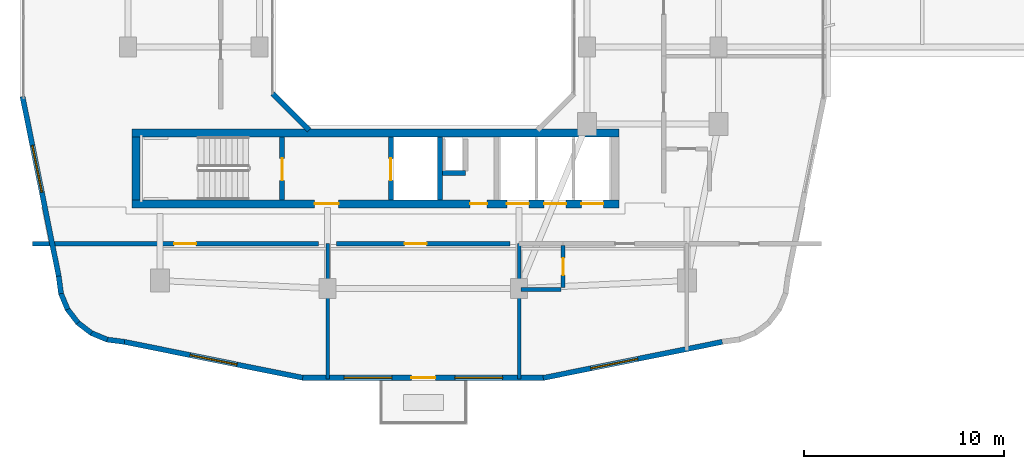
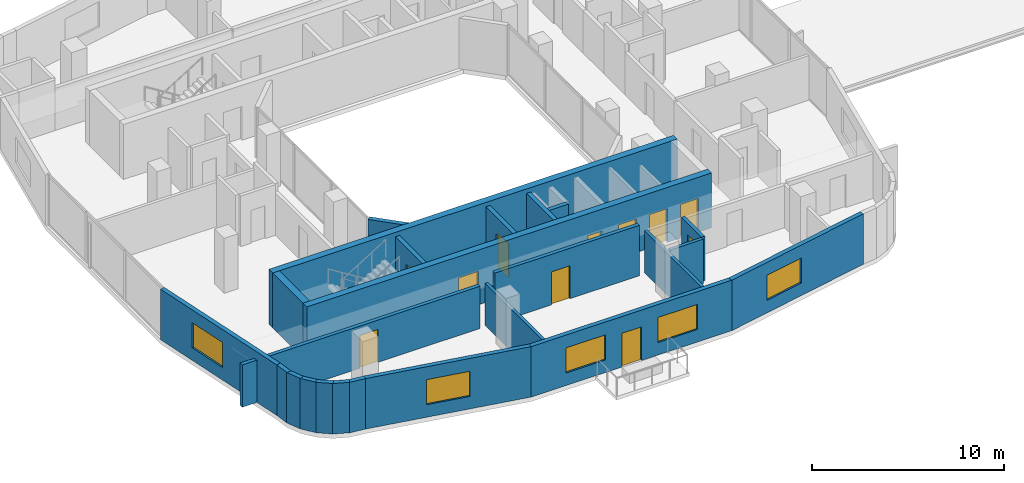
# One storey, part 8 of 22: 24 walls, 11 doors, 5 windows, 16 openings.
"""IFC4 building model written with IfcOpenShell, lengths in metres."""

from ifc_helpers import new_model, si_unit, derived_unit, direction, frame, frame_2d, origin, place, context, subcontext, project, spatial, rectangle, extrude, material, layer, layer_set, type_object, element, fill, save


model = new_model("IFC4")

# Units and contexts
model_context = context("Model", 3, precision=1e-05, world=origin(), true_north=direction((0.0, 1.0)))
body_context = subcontext(model_context, "Body", "Model", "MODEL_VIEW")
ifc_project = project(units=[si_unit("LENGTHUNIT", "METRE"), si_unit("AREAUNIT", "SQUARE_METRE"), si_unit("VOLUMEUNIT", "CUBIC_METRE"), si_unit("PLANEANGLEUNIT", "RADIAN"), si_unit("MASSUNIT", "GRAM", prefix="KILO"), derived_unit("THERMALTRANSMITTANCEUNIT", [(si_unit("POWERUNIT", "WATT"), 1), (si_unit("LENGTHUNIT", "METRE"), -2), (si_unit("THERMODYNAMICTEMPERATUREUNIT", "KELVIN"), -1)])], contexts=[model_context])

# Site, building, storey
site_placement = place(None, origin())
site = spatial("IfcSite", under=ifc_project, at=site_placement, CompositionType="ELEMENT")
building_placement = place(site_placement, origin())
building = spatial("IfcBuilding", under=site, at=building_placement, Name="Kivonza Crest Hotel", CompositionType="ELEMENT")
storey_placement = place(building_placement, frame((0.0, 0.0, 124.0)))
storey = spatial("IfcBuildingStorey", under=building, at=storey_placement, Name="L33", CompositionType="ELEMENT", Elevation=124.0)

# Walls
ifc_material_1 = material(Name="High-density acoustic masonry inter-tenancy wall", Category="masonry")
ifc_layer_1 = layer(ifc_material_1, 0.179931640625)
ifc_layer_set_1 = layer_set([ifc_layer_1], Name="High-density acoustic masonry inter-tenancy wall")
wall_type_1 = type_object("IfcWallType", Name="WL-ACOU-180", PredefinedType="SOLIDWALL", material=ifc_layer_set_1)
for number, where, z_axis, x_axis, name in (
    (1, (16.199951171875, 4.860107421875, 0.0), (0.0, 0.0, 1.0), (0.0, 1.0, 0.0), "L33 interior partition WA-L33-T1S-DIV1"),
    (2, (25.800048828125, 4.860107421875, 0.0), (0.0, 0.0, 1.0), (0.0, 1.0, 0.0), "L33 interior partition WA-L33-T1S-DIV2"),
):
    element("IfcWall", number, at=place(storey_placement, frame(where, z_axis=z_axis, x_axis=x_axis)), inside=storey, type_object=wall_type_1, Name=name, PredefinedType="SOLIDWALL", context=body_context, shape_type="SweptSolid", body=[
        extrude(rectangle(XDim=6.789794921875, YDim=0.179931640625, at=frame_2d((3.39501953125, 0.0))), origin(), (0.0, 0.0, 1.0), 2.695068359375),
    ])

# Wall, opening, door
ifc_material_2 = material(Name="Autoclaved aerated concrete blockwork", Category="masonry")
ifc_layer_2 = layer(ifc_material_2, 0.219970703125)
ifc_layer_set_2 = layer_set([ifc_layer_2], Name="Autoclaved aerated concrete blockwork")
wall_type_2 = type_object("IfcWallType", Name="WL-ACOU-220", PredefinedType="SOLIDWALL", material=ifc_layer_set_2)
wall_1_placement = place(storey_placement, frame((1.409912109375, 11.64990234375, 0.0), z_axis=(0.0, 0.0, 1.0), x_axis=(1.0, 0.0, 0.0)))
wall_1 = element("IfcWall", 3, at=wall_1_placement, inside=storey, type_object=wall_type_2, Name="L33 interior partition WA-L33-Z2-GYM0-N", PredefinedType="SOLIDWALL", context=body_context, shape_type="SweptSolid", body=[
    extrude(rectangle(XDim=14.340087890625, YDim=0.219970703125, at=frame_2d((7.169921875, 0.0))), origin(), (0.0, 0.0, 1.0), 2.695068359375),
])
opening_1_placement = place(wall_1_placement, frame((7.097900390625, 0.0, 0.0)))
opening_1 = element("IfcOpeningElement", 4, at=opening_1_placement, cuts=wall_1, Name="Opening DF-60M", PredefinedType="OPENING", context=body_context, shape_type="SweptSolid", body=[
    extrude(rectangle(XDim=1.10009765625, YDim=2.10009765625, at=frame_2d((0.550048828125, 1.050048828125))), frame((0.0, 0.1201171875, 0.0), z_axis=(0.0, -1.0, 0.0), x_axis=(1.0, 0.0, 0.0)), (0.0, 0.0, 1.0), 0.239990234375),
])
ifc_material_3 = material(Name="Hardwood timber oak", Category="wood")
door_type_1 = type_object("IfcDoorType", Name="DR-FD60-1100", OperationType="NOTDEFINED", PredefinedType="DOOR", material=ifc_material_3)
door_1_placement = place(opening_1_placement, frame((1.10009765625, 0.0, 0.0), z_axis=(0.0, 0.0, 1.0), x_axis=(-1.0, 0.0, 0.0)))
door_1 = element("IfcDoor", 5, at=door_1_placement, inside=storey, type_object=door_type_1, Name="L33 Atrium Cardio Fitness Studio door", OperationType="SINGLE_SWING_RIGHT", OverallHeight=2.10009765625, OverallWidth=1.10009765625, PredefinedType="DOOR", context=body_context, shape_type="SweptSolid", body=[
    extrude(rectangle(XDim=1.10009765625, YDim=2.10009765625, at=frame_2d((0.550048828125, 1.050048828125))), frame((0.0, 0.02490234375, 0.0), z_axis=(0.0, -1.0, 0.0), x_axis=(1.0, 0.0, 0.0)), (0.0, 0.0, 1.0), 0.050048828125),
])
fill(opening_1, door_1)

wall_2_placement = place(storey_placement, frame((16.64990234375, 11.64990234375, 0.0), z_axis=(0.0, 0.0, 1.0), x_axis=(1.0, 0.0, 0.0)))
wall_2 = element("IfcWall", 6, at=wall_2_placement, inside=storey, type_object=wall_type_2, Name="L33 interior partition WA-L33-Z2-GYM1-N", PredefinedType="SOLIDWALL", context=body_context, shape_type="SweptSolid", body=[
    extrude(rectangle(XDim=8.7001953125, YDim=0.219970703125, at=frame_2d((4.35009765625, 0.0))), origin(), (0.0, 0.0, 1.0), 3.219970703125),
])
opening_2_placement = place(wall_2_placement, frame((3.409912109375, 0.0, 0.0)))
opening_2 = element("IfcOpeningElement", 7, at=opening_2_placement, cuts=wall_2, Name="Opening DF-60M", PredefinedType="OPENING", context=body_context, shape_type="SweptSolid", body=[
    extrude(rectangle(XDim=1.10009765625, YDim=2.10009765625, at=frame_2d((0.550048828125, 1.050048828125))), frame((0.0, 0.1201171875, 0.0), z_axis=(0.0, -1.0, 0.0), x_axis=(1.0, 0.0, 0.0)), (0.0, 0.0, 1.0), 0.239990234375),
])
door_2_placement = place(opening_2_placement, frame((1.10009765625, 0.0, 0.0), z_axis=(0.0, 0.0, 1.0), x_axis=(-1.0, 0.0, 0.0)))
door_2 = element("IfcDoor", 8, at=door_2_placement, inside=storey, type_object=door_type_1, Name="L33 Atrium Recovery Spa Lounge door", OperationType="SINGLE_SWING_LEFT", OverallHeight=2.10009765625, OverallWidth=1.10009765625, PredefinedType="DOOR", context=body_context, shape_type="SweptSolid", body=[
    extrude(rectangle(XDim=1.10009765625, YDim=2.10009765625, at=frame_2d((0.550048828125, 1.050048828125))), frame((0.0, 0.02490234375, 0.0), z_axis=(0.0, -1.0, 0.0), x_axis=(1.0, 0.0, 0.0)), (0.0, 0.0, 1.0), 0.050048828125),
])
fill(opening_2, door_2)

# Wall, openings, doors
ifc_material_4 = material(Name="Concrete C50/60", Category="concrete")
ifc_layer_3 = layer(ifc_material_4, 0.39990234375)
ifc_layer_set_3 = layer_set([ifc_layer_3], Name="Concrete C50/60")
wall_type_3 = type_object("IfcWallType", Name="WL-CORE-400", PredefinedType="SHEAR", material=ifc_layer_set_3)
wall_3_placement = place(storey_placement, frame((6.39990234375, 13.639892578125, 0.0), z_axis=(0.0, 0.0, 1.0), x_axis=(1.0, 0.0, 0.0)))
wall_3 = element("IfcWall", 9, at=wall_3_placement, inside=storey, type_object=wall_type_3, Name="Core wall T1-S South L33", PredefinedType="SHEAR", context=body_context, shape_type="SweptSolid", body=[
    extrude(rectangle(XDim=24.400146484375, YDim=0.39990234375, at=frame_2d((12.2001953125, 0.0))), origin(), (0.0, 0.0, 1.0), 3.5),
])
opening_3_placement = place(wall_3_placement, frame((9.14990234375, 0.0, 0.0)))
opening_3 = element("IfcOpeningElement", 10, at=opening_3_placement, cuts=wall_3, Name="Opening DF-60", PredefinedType="OPENING", context=body_context, shape_type="SweptSolid", body=[
    extrude(rectangle(XDim=1.199951171875, YDim=2.14990234375, at=frame_2d((0.60009765625, 1.074951171875))), frame((0.0, 0.2099609375, 0.0), z_axis=(0.0, -1.0, 0.0), x_axis=(1.0, 0.0, 0.0)), (0.0, 0.0, 1.0), 0.419921875),
])
opening_4_placement = place(wall_3_placement, frame((16.93994140625, 0.0, 0.0)))
opening_4 = element("IfcOpeningElement", 11, at=opening_4_placement, cuts=wall_3, Name="Opening DF-60R", PredefinedType="OPENING", context=body_context, shape_type="SweptSolid", body=[
    extrude(rectangle(XDim=0.85009765625, YDim=2.10009765625, at=frame_2d((0.425048828125, 1.050048828125))), frame((0.0, 0.2099609375, 0.0), z_axis=(0.0, -1.0, 0.0), x_axis=(1.0, 0.0, 0.0)), (0.0, 0.0, 1.0), 0.419921875),
])
opening_5_placement = place(wall_3_placement, frame((18.782958984375, 0.0, 0.0)))
opening_5 = element("IfcOpeningElement", 12, at=opening_5_placement, cuts=wall_3, Name="Opening LD-120", PredefinedType="OPENING", context=body_context, shape_type="SweptSolid", body=[
    extrude(rectangle(XDim=1.10009765625, YDim=2.14990234375, at=frame_2d((0.550048828125, 1.074951171875))), frame((0.0, 0.2099609375, 0.0), z_axis=(0.0, -1.0, 0.0), x_axis=(1.0, 0.0, 0.0)), (0.0, 0.0, 1.0), 0.419921875),
])
opening_6_placement = place(wall_3_placement, frame((20.64990234375, 0.0, 0.0)))
opening_6 = element("IfcOpeningElement", 13, at=opening_6_placement, cuts=wall_3, Name="Opening LD-120", PredefinedType="OPENING", context=body_context, shape_type="SweptSolid", body=[
    extrude(rectangle(XDim=1.10009765625, YDim=2.14990234375, at=frame_2d((0.550048828125, 1.074951171875))), frame((0.0, 0.2099609375, 0.0), z_axis=(0.0, -1.0, 0.0), x_axis=(1.0, 0.0, 0.0)), (0.0, 0.0, 1.0), 0.419921875),
])
opening_7_placement = place(wall_3_placement, frame((22.51708984375, 0.0, 0.0)))
opening_7 = element("IfcOpeningElement", 14, at=opening_7_placement, cuts=wall_3, Name="Opening LD-120", PredefinedType="OPENING", context=body_context, shape_type="SweptSolid", body=[
    extrude(rectangle(XDim=1.10009765625, YDim=2.14990234375, at=frame_2d((0.550048828125, 1.074951171875))), frame((0.0, 0.2099609375, 0.0), z_axis=(0.0, -1.0, 0.0), x_axis=(1.0, 0.0, 0.0)), (0.0, 0.0, 1.0), 0.419921875),
])
door_type_2 = type_object("IfcDoorType", Name="DR-FD60-1200", OperationType="NOTDEFINED", PredefinedType="DOOR", material=ifc_material_3)
door_3_placement = place(opening_3_placement, frame((1.199951171875, 0.0, 0.0), z_axis=(0.0, 0.0, 1.0), x_axis=(-1.0, 0.0, 0.0)))
door_3 = element("IfcDoor", 15, at=door_3_placement, inside=storey, type_object=door_type_2, Name="L33 T1-S firefighting lobby fire door", OperationType="SINGLE_SWING_LEFT", OverallHeight=2.14990234375, OverallWidth=1.199951171875, PredefinedType="DOOR", context=body_context, shape_type="SweptSolid", body=[
    extrude(rectangle(XDim=1.199951171875, YDim=2.14990234375, at=frame_2d((0.60009765625, 1.074951171875))), frame((0.0, 0.02490234375, 0.0), z_axis=(0.0, -1.0, 0.0), x_axis=(1.0, 0.0, 0.0)), (0.0, 0.0, 1.0), 0.050048828125),
])
fill(opening_3, door_3)
door_type_3 = type_object("IfcDoorType", Name="DR-FD60-850", OperationType="NOTDEFINED", PredefinedType="DOOR", material=ifc_material_3)
door_4_placement = place(opening_4_placement, frame((0.85009765625, 0.0, 0.0), z_axis=(0.0, 0.0, 1.0), x_axis=(-1.0, 0.0, 0.0)))
door_4 = element("IfcDoor", 16, at=door_4_placement, inside=storey, type_object=door_type_3, Name="L33 T1-S core room door", OperationType="SINGLE_SWING_RIGHT", OverallHeight=2.10009765625, OverallWidth=0.85009765625, PredefinedType="DOOR", context=body_context, shape_type="SweptSolid", body=[
    extrude(rectangle(XDim=0.85009765625, YDim=2.10009765625, at=frame_2d((0.425048828125, 1.050048828125))), frame((0.0, 0.02490234375, 0.0), z_axis=(0.0, -1.0, 0.0), x_axis=(1.0, 0.0, 0.0)), (0.0, 0.0, 1.0), 0.050048828125),
])
fill(opening_4, door_4)
ifc_material_5 = material(Name="Stainless steel", Category="steel")
door_type_4 = type_object("IfcDoorType", Name="DR-LD120-1100", OperationType="NOTDEFINED", PredefinedType="DOOR", material=ifc_material_5)
door_5_placement = place(opening_5_placement, frame((1.10009765625, 0.0, 0.0), z_axis=(0.0, 0.0, 1.0), x_axis=(-1.0, 0.0, 0.0)))
door_5 = element("IfcDoor", 17, at=door_5_placement, inside=storey, type_object=door_type_4, Name="L33 PL-T1-H1 passenger lift sliding landing door", OperationType="DOUBLE_DOOR_SLIDING", OverallHeight=2.14990234375, OverallWidth=1.10009765625, PredefinedType="DOOR", context=body_context, shape_type="SweptSolid", body=[
    extrude(rectangle(XDim=1.10009765625, YDim=2.14990234375, at=frame_2d((0.550048828125, 1.074951171875))), frame((0.0, 0.02490234375, 0.0), z_axis=(0.0, -1.0, 0.0), x_axis=(1.0, 0.0, 0.0)), (0.0, 0.0, 1.0), 0.050048828125),
])
fill(opening_5, door_5)
door_6_placement = place(opening_6_placement, frame((1.10009765625, 0.0, 0.0), z_axis=(0.0, 0.0, 1.0), x_axis=(-1.0, 0.0, 0.0)))
door_6 = element("IfcDoor", 18, at=door_6_placement, inside=storey, type_object=door_type_4, Name="L33 PL-T1-H2 passenger lift sliding landing door", OperationType="DOUBLE_DOOR_SLIDING", OverallHeight=2.14990234375, OverallWidth=1.10009765625, PredefinedType="DOOR", context=body_context, shape_type="SweptSolid", body=[
    extrude(rectangle(XDim=1.10009765625, YDim=2.14990234375, at=frame_2d((0.550048828125, 1.074951171875))), frame((0.0, 0.02490234375, 0.0), z_axis=(0.0, -1.0, 0.0), x_axis=(1.0, 0.0, 0.0)), (0.0, 0.0, 1.0), 0.050048828125),
])
fill(opening_6, door_6)
door_7_placement = place(opening_7_placement, frame((1.10009765625, 0.0, 0.0), z_axis=(0.0, 0.0, 1.0), x_axis=(-1.0, 0.0, 0.0)))
door_7 = element("IfcDoor", 19, at=door_7_placement, inside=storey, type_object=door_type_4, Name="L33 PL-T1-H3 passenger lift sliding landing door", OperationType="DOUBLE_DOOR_SLIDING", OverallHeight=2.14990234375, OverallWidth=1.10009765625, PredefinedType="DOOR", context=body_context, shape_type="SweptSolid", body=[
    extrude(rectangle(XDim=1.10009765625, YDim=2.14990234375, at=frame_2d((0.550048828125, 1.074951171875))), frame((0.0, 0.02490234375, 0.0), z_axis=(0.0, -1.0, 0.0), x_axis=(1.0, 0.0, 0.0)), (0.0, 0.0, 1.0), 0.050048828125),
])
fill(opening_7, door_7)

# Walls
wall_4_placement = place(storey_placement, frame((6.39990234375, 17.199951171875, 0.0), z_axis=(0.0, 0.0, 1.0), x_axis=(1.0, 0.0, 0.0)))
element("IfcWall", 20, at=wall_4_placement, inside=storey, type_object=wall_type_3, Name="Core wall T1-S North L33", PredefinedType="SHEAR", context=body_context, shape_type="SweptSolid", body=[
    extrude(rectangle(XDim=24.400146484375, YDim=0.39990234375, at=frame_2d((12.2001953125, 0.0))), origin(), (0.0, 0.0, 1.0), 3.5),
])
wall_5_placement = place(storey_placement, frame((6.60009765625, 13.840087890625, 0.0), z_axis=(0.0, 0.0, 1.0), x_axis=(0.0, 1.0, 0.0)))
element("IfcWall", 21, at=wall_5_placement, inside=storey, type_object=wall_type_3, Name="Core wall T1-S West L33", PredefinedType="SHEAR", context=body_context, shape_type="SweptSolid", body=[
    extrude(rectangle(XDim=3.159912109375, YDim=0.39990234375, at=frame_2d((1.580078125, 0.0))), origin(), (0.0, 0.0, 1.0), 3.5),
])
ifc_material_6 = material(Name="Precast concrete C40/50", Category="concrete")
ifc_layer_4 = layer(ifc_material_6, 0.260009765625)
ifc_layer_set_4 = layer_set([ifc_layer_4], Name="Precast concrete C40/50")
wall_type_4 = type_object("IfcWallType", Name="WL-EXT-260", PredefinedType="STANDARD", material=ifc_layer_set_4)
wall_6_placement = place(storey_placement, frame((2.72802734375, 10.02490234375, 0.0), z_axis=(0.0, 0.0, 1.0), x_axis=(0.130953706898, -0.991388484223, 0.0)))
element("IfcWall", 22, at=wall_6_placement, inside=storey, type_object=wall_type_4, Name="L33 T1 exterior insulated wall 1", PredefinedType="STANDARD", context=body_context, shape_type="SweptSolid", body=[
    extrude(rectangle(XDim=0.885498046875, YDim=0.260009765625, at=frame_2d((0.44287109375, 0.0))), origin(), (0.0, 0.0, 1.0), 3.219970703125),
])
wall_7_placement = place(storey_placement, frame((2.825927734375, 9.193115234375, 0.0), z_axis=(0.0, 0.0, 1.0), x_axis=(0.383290660547, -0.923627776508, 0.0)))
element("IfcWall", 23, at=wall_7_placement, inside=storey, type_object=wall_type_4, Name="L33 T1 exterior insulated wall 2", PredefinedType="STANDARD", context=body_context, shape_type="SweptSolid", body=[
    extrude(rectangle(XDim=0.9033203125, YDim=0.260009765625, at=frame_2d((0.45166015625, 0.0))), origin(), (0.0, 0.0, 1.0), 3.219970703125),
])
wall_8_placement = place(storey_placement, frame((3.14404296875, 8.39892578125, 0.0), z_axis=(0.0, 0.0, 1.0), x_axis=(0.608624690463, -0.793458244748, 0.0)))
element("IfcWall", 24, at=wall_8_placement, inside=storey, type_object=wall_type_4, Name="L33 T1 exterior insulated wall 3", PredefinedType="STANDARD", context=body_context, shape_type="SweptSolid", body=[
    extrude(rectangle(XDim=0.902099609375, YDim=0.260009765625, at=frame_2d((0.451171875, 0.0))), origin(), (0.0, 0.0, 1.0), 3.219970703125),
])
wall_9_placement = place(storey_placement, frame((3.655029296875, 7.714111328125, 0.0), z_axis=(0.0, 0.0, 1.0), x_axis=(0.793558456666, -0.608494022858, 0.0)))
element("IfcWall", 25, at=wall_9_placement, inside=storey, type_object=wall_type_4, Name="L33 T1 exterior insulated wall 4", PredefinedType="STANDARD", context=body_context, shape_type="SweptSolid", body=[
    extrude(rectangle(XDim=0.90234375, YDim=0.260009765625, at=frame_2d((0.451171875, 0.0))), origin(), (0.0, 0.0, 1.0), 3.219970703125),
])
wall_10_placement = place(storey_placement, frame((4.326904296875, 7.18603515625, 0.0), z_axis=(0.0, 0.0, 1.0), x_axis=(0.923683767999, -0.383155708213, 0.0)))
element("IfcWall", 26, at=wall_10_placement, inside=storey, type_object=wall_type_4, Name="L33 T1 exterior insulated wall 5", PredefinedType="STANDARD", context=body_context, shape_type="SweptSolid", body=[
    extrude(rectangle(XDim=0.90283203125, YDim=0.260009765625, at=frame_2d((0.451416015625, 0.0))), origin(), (0.0, 0.0, 1.0), 3.219970703125),
])
wall_11_placement = place(storey_placement, frame((5.112060546875, 6.847900390625, 0.0), z_axis=(0.0, 0.0, 1.0), x_axis=(0.991487658083, -0.130200706103, 0.0)))
element("IfcWall", 27, at=wall_11_placement, inside=storey, type_object=wall_type_4, Name="L33 T1 exterior insulated wall 6", PredefinedType="STANDARD", context=body_context, shape_type="SweptSolid", body=[
    extrude(rectangle(XDim=0.920654296875, YDim=0.260009765625, at=frame_2d((0.46044921875, 0.0))), origin(), (0.0, 0.0, 1.0), 3.219970703125),
])

# Wall, opening, window
wall_12_placement = place(storey_placement, frame((6.01806640625, 6.72900390625, 0.0), z_axis=(0.0, 0.0, 1.0), x_axis=(0.980317172899, -0.197429077186, 0.0)))
wall_12 = element("IfcWall", 28, at=wall_12_placement, inside=storey, type_object=wall_type_4, Name="L33 T1 exterior insulated wall 7", PredefinedType="STANDARD", context=body_context, shape_type="SweptSolid", body=[
    extrude(rectangle(XDim=9.117431640625, YDim=0.260009765625, at=frame_2d((4.55859375, 0.0))), origin(), (0.0, 0.0, 1.0), 3.219970703125),
])
opening_8_placement = place(wall_12_placement, frame((3.35888671875, 0.0, 0.800048828125)))
opening_8 = element("IfcOpeningElement", 29, at=opening_8_placement, cuts=wall_12, Name="Opening WN-05", PredefinedType="OPENING", context=body_context, shape_type="SweptSolid", body=[
    extrude(rectangle(XDim=2.39990234375, YDim=1.60009765625, at=frame_2d((1.199951171875, 0.800048828125))), frame((0.0, 0.14013671875, 0.0), z_axis=(0.0, -1.0, 0.0), x_axis=(1.0, 0.0, 0.0)), (0.0, 0.0, 1.0), 0.280029296875),
])
ifc_material_7 = material(Name="Thermally broken bronze aluminium and low-E double glazing", Category="aluminium")
window_type = type_object("IfcWindowType", Name="WN-240x160", PartitioningType="TRIPLE_PANEL_VERTICAL", PredefinedType="WINDOW", material=ifc_material_7)
window_1_placement = place(opening_8_placement, origin())
window_1 = element("IfcWindow", 30, at=window_1_placement, inside=storey, type_object=window_type, Name="L33 T1 facade window 7", OverallHeight=1.60009765625, OverallWidth=2.39990234375, PartitioningType="SINGLE_PANEL", PredefinedType="WINDOW", context=body_context, shape_type="SweptSolid", body=[
    extrude(rectangle(XDim=2.39990234375, YDim=1.60009765625, at=frame_2d((1.199951171875, 0.800048828125))), frame((0.0, 0.030029296875, 0.0), z_axis=(0.0, -1.0, 0.0), x_axis=(1.0, 0.0, 0.0)), (0.0, 0.0, 1.0), 0.06005859375),
])
fill(opening_8, window_1)

# Wall, openings, door, windows
wall_13_placement = place(storey_placement, frame((14.9150390625, 4.929931640625, 0.0), z_axis=(0.0, 0.0, 1.0), x_axis=(1.0, 0.0, 0.0)))
wall_13 = element("IfcWall", 31, at=wall_13_placement, inside=storey, type_object=wall_type_4, Name="L33 T1 exterior insulated wall 8", PredefinedType="STANDARD", context=body_context, shape_type="SweptSolid", body=[
    extrude(rectangle(XDim=12.135009765625, YDim=0.260009765625, at=frame_2d((6.0673828125, 0.0))), origin(), (0.0, 0.0, 1.0), 3.219970703125),
])
opening_9_placement = place(wall_13_placement, frame((5.485107421875, 0.0, 0.0)))
opening_9 = element("IfcOpeningElement", 32, at=opening_9_placement, cuts=wall_13, Name="Opening DT-120", PredefinedType="OPENING", context=body_context, shape_type="SweptSolid", body=[
    extrude(rectangle(XDim=1.199951171875, YDim=2.14990234375, at=frame_2d((0.60009765625, 1.074951171875))), frame((0.0, 0.14013671875, 0.0), z_axis=(0.0, -1.0, 0.0), x_axis=(1.0, 0.0, 0.0)), (0.0, 0.0, 1.0), 0.280029296875),
])
opening_10_placement = place(wall_13_placement, frame((2.110107421875, 0.0, 0.800048828125)))
opening_10 = element("IfcOpeningElement", 33, at=opening_10_placement, cuts=wall_13, Name="Opening WN-05", PredefinedType="OPENING", context=body_context, shape_type="SweptSolid", body=[
    extrude(rectangle(XDim=2.39990234375, YDim=1.60009765625, at=frame_2d((1.199951171875, 0.800048828125))), frame((0.0, 0.14013671875, 0.0), z_axis=(0.0, -1.0, 0.0), x_axis=(1.0, 0.0, 0.0)), (0.0, 0.0, 1.0), 0.280029296875),
])
opening_11_placement = place(wall_13_placement, frame((7.659912109375, 0.0, 0.800048828125)))
opening_11 = element("IfcOpeningElement", 34, at=opening_11_placement, cuts=wall_13, Name="Opening WN-05", PredefinedType="OPENING", context=body_context, shape_type="SweptSolid", body=[
    extrude(rectangle(XDim=2.39990234375, YDim=1.60009765625, at=frame_2d((1.199951171875, 0.800048828125))), frame((0.0, 0.14013671875, 0.0), z_axis=(0.0, -1.0, 0.0), x_axis=(1.0, 0.0, 0.0)), (0.0, 0.0, 1.0), 0.280029296875),
])
ifc_material_8 = material(Name="Anodised bronze aluminium and laminated safety glass", Category="aluminium")
door_type_5 = type_object("IfcDoorType", Name="DR-TERR-1200", OperationType="NOTDEFINED", PredefinedType="DOOR", material=ifc_material_8)
door_8_placement = place(opening_9_placement, frame((1.199951171875, 0.0, 0.0), z_axis=(0.0, 0.0, 1.0), x_axis=(-1.0, 0.0, 0.0)))
door_8 = element("IfcDoor", 35, at=door_8_placement, inside=storey, type_object=door_type_5, Name="T1 L33 SW sky-garden bridge access door", OperationType="SINGLE_SWING_LEFT", OverallHeight=2.14990234375, OverallWidth=1.199951171875, PredefinedType="DOOR", context=body_context, shape_type="SweptSolid", body=[
    extrude(rectangle(XDim=1.199951171875, YDim=2.14990234375, at=frame_2d((0.60009765625, 1.074951171875))), frame((0.0, 0.02490234375, 0.0), z_axis=(0.0, -1.0, 0.0), x_axis=(1.0, 0.0, 0.0)), (0.0, 0.0, 1.0), 0.050048828125),
])
fill(opening_9, door_8)
window_2_placement = place(opening_10_placement, origin())
window_2 = element("IfcWindow", 36, at=window_2_placement, inside=storey, type_object=window_type, Name="L33 T1 facade window 8 bay 1", OverallHeight=1.60009765625, OverallWidth=2.39990234375, PartitioningType="SINGLE_PANEL", PredefinedType="WINDOW", context=body_context, shape_type="SweptSolid", body=[
    extrude(rectangle(XDim=2.39990234375, YDim=1.60009765625, at=frame_2d((1.199951171875, 0.800048828125))), frame((0.0, 0.030029296875, 0.0), z_axis=(0.0, -1.0, 0.0), x_axis=(1.0, 0.0, 0.0)), (0.0, 0.0, 1.0), 0.06005859375),
])
fill(opening_10, window_2)
window_3_placement = place(opening_11_placement, origin())
window_3 = element("IfcWindow", 37, at=window_3_placement, inside=storey, type_object=window_type, Name="L33 T1 facade window 8 bay 2", OverallHeight=1.60009765625, OverallWidth=2.39990234375, PartitioningType="SINGLE_PANEL", PredefinedType="WINDOW", context=body_context, shape_type="SweptSolid", body=[
    extrude(rectangle(XDim=2.39990234375, YDim=1.60009765625, at=frame_2d((1.199951171875, 0.800048828125))), frame((0.0, 0.030029296875, 0.0), z_axis=(0.0, -1.0, 0.0), x_axis=(1.0, 0.0, 0.0)), (0.0, 0.0, 1.0), 0.06005859375),
])
fill(opening_11, window_3)

# Wall, opening, window
wall_14_placement = place(storey_placement, frame((27.009033203125, 4.922119140625, 0.0), z_axis=(0.0, 0.0, 1.0), x_axis=(0.980321298532, 0.197408590603, 0.0)))
wall_14 = element("IfcWall", 38, at=wall_14_placement, inside=storey, type_object=wall_type_4, Name="L33 T1 exterior insulated wall 9", PredefinedType="STANDARD", context=body_context, shape_type="SweptSolid", body=[
    extrude(rectangle(XDim=9.153076171875, YDim=0.260009765625, at=frame_2d((4.57666015625, 0.0))), origin(), (0.0, 0.0, 1.0), 3.219970703125),
])
opening_12_placement = place(wall_14_placement, frame((2.430908203125, 0.0, 0.800048828125)))
opening_12 = element("IfcOpeningElement", 39, at=opening_12_placement, cuts=wall_14, Name="Opening WN-05", PredefinedType="OPENING", context=body_context, shape_type="SweptSolid", body=[
    extrude(rectangle(XDim=2.39990234375, YDim=1.60009765625, at=frame_2d((1.199951171875, 0.800048828125))), frame((0.0, 0.14013671875, 0.0), z_axis=(0.0, -1.0, 0.0), x_axis=(1.0, 0.0, 0.0)), (0.0, 0.0, 1.0), 0.280029296875),
])
window_4_placement = place(opening_12_placement, origin())
window_4 = element("IfcWindow", 40, at=window_4_placement, inside=storey, type_object=window_type, Name="L33 T1 facade window 9", OverallHeight=1.60009765625, OverallWidth=2.39990234375, PartitioningType="SINGLE_PANEL", PredefinedType="WINDOW", context=body_context, shape_type="SweptSolid", body=[
    extrude(rectangle(XDim=2.39990234375, YDim=1.60009765625, at=frame_2d((1.199951171875, 0.800048828125))), frame((0.0, 0.030029296875, 0.0), z_axis=(0.0, -1.0, 0.0), x_axis=(1.0, 0.0, 0.0)), (0.0, 0.0, 1.0), 0.06005859375),
])
fill(opening_12, window_4)

wall_15_placement = place(storey_placement, frame((0.916015625, 19.02001953125, 0.0), z_axis=(0.0, 0.0, 1.0), x_axis=(0.197435082048, -0.980315963543, 0.0)))
wall_15 = element("IfcWall", 41, at=wall_15_placement, inside=storey, type_object=wall_type_4, Name="L33 T1 exterior insulated wall 36", PredefinedType="STANDARD", context=body_context, shape_type="SweptSolid", body=[
    extrude(rectangle(XDim=9.1826171875, YDim=0.260009765625, at=frame_2d((4.59130859375, 0.0))), origin(), (0.0, 0.0, 1.0), 3.219970703125),
])
opening_13_placement = place(wall_15_placement, frame((2.4970703125, 0.0, 0.800048828125)))
opening_13 = element("IfcOpeningElement", 42, at=opening_13_placement, cuts=wall_15, Name="Opening WN-05", PredefinedType="OPENING", context=body_context, shape_type="SweptSolid", body=[
    extrude(rectangle(XDim=2.39990234375, YDim=1.60009765625, at=frame_2d((1.199951171875, 0.800048828125))), frame((0.0, 0.14013671875, 0.0), z_axis=(0.0, -1.0, 0.0), x_axis=(1.0, 0.0, 0.0)), (0.0, 0.0, 1.0), 0.280029296875),
])
window_5_placement = place(opening_13_placement, origin())
window_5 = element("IfcWindow", 43, at=window_5_placement, inside=storey, type_object=window_type, Name="L33 T1 facade window 36", OverallHeight=1.60009765625, OverallWidth=2.39990234375, PartitioningType="SINGLE_PANEL", PredefinedType="WINDOW", context=body_context, shape_type="SweptSolid", body=[
    extrude(rectangle(XDim=2.39990234375, YDim=1.60009765625, at=frame_2d((1.199951171875, 0.800048828125))), frame((0.0, 0.030029296875, 0.0), z_axis=(0.0, -1.0, 0.0), x_axis=(1.0, 0.0, 0.0)), (0.0, 0.0, 1.0), 0.06005859375),
])
fill(opening_13, window_5)

# Walls
wall_16_placement = place(storey_placement, frame((13.444091796875, 19.172119140625, 0.0), z_axis=(0.0, 0.0, 1.0), x_axis=(0.707059717605, -0.707153841636, 0.0)))
element("IfcWall", 44, at=wall_16_placement, inside=storey, type_object=wall_type_4, Name="L33 T1 light-well exterior wall 8", PredefinedType="STANDARD", context=body_context, shape_type="SweptSolid", body=[
    extrude(rectangle(XDim=2.59375, YDim=0.260009765625, at=frame_2d((1.296875, 0.0))), origin(), (0.0, 0.0, 1.0), 3.219970703125),
])
ifc_material_9 = material(Name="Concrete blockwork fire-compartment wall", Category="masonry")
ifc_layer_5 = layer(ifc_material_9, 0.25)
ifc_layer_set_5 = layer_set([ifc_layer_5], Name="Concrete blockwork fire-compartment wall")
wall_type_5 = type_object("IfcWallType", Name="WL-FIRE-250", PredefinedType="SOLIDWALL", material=ifc_layer_set_5)
wall_17_placement = place(storey_placement, frame((21.949951171875, 15.179931640625, 0.0), z_axis=(0.0, 0.0, 1.0), x_axis=(1.0, 0.0, 0.0)))
element("IfcWall", 45, at=wall_17_placement, inside=storey, type_object=wall_type_5, Name="L33 interior partition WA-L33-T1-S-MEPR-H", PredefinedType="SOLIDWALL", context=body_context, shape_type="SweptSolid", body=[
    extrude(rectangle(XDim=1.150146484375, YDim=0.25, at=frame_2d((0.5751953125, 0.0))), origin(), (0.0, 0.0, 1.0), 3.219970703125),
])

# Wall, opening, door
ifc_material_10 = material(Name="Moisture-resistant plumbing chase partition wall", Category="gypsum")
ifc_layer_6 = layer(ifc_material_10, 0.199951171875)
ifc_layer_set_6 = layer_set([ifc_layer_6], Name="Moisture-resistant plumbing chase partition wall")
wall_type_6 = type_object("IfcWallType", Name="WL-PLUMB-200", PredefinedType="PLUMBINGWALL", material=ifc_layer_set_6)
wall_18_placement = place(storey_placement, frame((28.0, 9.449951171875, 0.0), z_axis=(0.0, 0.0, 1.0), x_axis=(0.0, 1.0, 0.0)))
wall_18 = element("IfcWall", 46, at=wall_18_placement, inside=storey, type_object=wall_type_6, Name="L33 interior partition WW-L33-S03-BV", PredefinedType="PLUMBINGWALL", context=body_context, shape_type="SweptSolid", body=[
    extrude(rectangle(XDim=2.10009765625, YDim=0.199951171875, at=frame_2d((1.050048828125, 0.0))), origin(), (0.0, 0.0, 1.0), 2.8349609375),
])
opening_14_placement = place(wall_18_placement, frame((0.625, 0.0, 0.0)))
opening_14 = element("IfcOpeningElement", 47, at=opening_14_placement, cuts=wall_18, Name="Opening DI-85", PredefinedType="OPENING", context=body_context, shape_type="SweptSolid", body=[
    extrude(rectangle(XDim=0.85009765625, YDim=2.10009765625, at=frame_2d((0.425048828125, 1.050048828125))), frame((0.0, 0.10986328125, 0.0), z_axis=(0.0, -1.0, 0.0), x_axis=(1.0, 0.0, 0.0)), (0.0, 0.0, 1.0), 0.219970703125),
])
door_type_6 = type_object("IfcDoorType", Name="DR-INT-850", OperationType="NOTDEFINED", PredefinedType="DOOR", material=ifc_material_3)
door_9_placement = place(opening_14_placement, frame((0.85009765625, 0.0, 0.0), z_axis=(0.0, 0.0, 1.0), x_axis=(-1.0, 0.0, 0.0)))
door_9 = element("IfcDoor", 48, at=door_9_placement, inside=storey, type_object=door_type_6, Name="L33 S03 en-suite bathroom door", OperationType="SINGLE_SWING_RIGHT", OverallHeight=2.10009765625, OverallWidth=0.85009765625, PredefinedType="DOOR", context=body_context, shape_type="SweptSolid", body=[
    extrude(rectangle(XDim=0.85009765625, YDim=2.10009765625, at=frame_2d((0.425048828125, 1.050048828125))), frame((0.0, 0.02490234375, 0.0), z_axis=(0.0, -1.0, 0.0), x_axis=(1.0, 0.0, 0.0)), (0.0, 0.0, 1.0), 0.050048828125),
])
fill(opening_14, door_9)

# Wall
wall_19_placement = place(storey_placement, frame((25.89990234375, 9.35009765625, 0.0), z_axis=(0.0, 0.0, 1.0), x_axis=(1.0, 0.0, 0.0)))
element("IfcWall", 49, at=wall_19_placement, inside=storey, type_object=wall_type_6, Name="L33 interior partition WW-L33-S03-BH", PredefinedType="PLUMBINGWALL", context=body_context, shape_type="SweptSolid", body=[
    extrude(rectangle(XDim=2.0, YDim=0.199951171875, at=frame_2d((1.0, 0.0))), origin(), (0.0, 0.0, 1.0), 2.8349609375),
])

# Wall, opening, door
ifc_layer_7 = layer(ifc_material_4, 0.25)
ifc_layer_set_7 = layer_set([ifc_layer_7], Name="Concrete C50/60")
wall_type_7 = type_object("IfcWallType", Name="WL-SHAFT-250", PredefinedType="STANDARD", material=ifc_layer_set_7)
wall_20_placement = place(storey_placement, frame((13.925048828125, 13.840087890625, 0.0), z_axis=(0.0, 0.0, 1.0), x_axis=(0.0, 1.0, 0.0)))
wall_20 = element("IfcWall", 50, at=wall_20_placement, inside=storey, type_object=wall_type_7, Name="Core shaft wall T1-S STAIR L33", PredefinedType="STANDARD", context=body_context, shape_type="SweptSolid", body=[
    extrude(rectangle(XDim=3.159912109375, YDim=0.25, at=frame_2d((1.580078125, 0.0))), origin(), (0.0, 0.0, 1.0), 3.219970703125),
])
opening_15_placement = place(wall_20_placement, frame((0.97998046875, 0.0, 0.0)))
opening_15 = element("IfcOpeningElement", 51, at=opening_15_placement, cuts=wall_20, Name="Opening DF-120", PredefinedType="OPENING", context=body_context, shape_type="SweptSolid", body=[
    extrude(rectangle(XDim=1.10009765625, YDim=2.14990234375, at=frame_2d((0.550048828125, 1.074951171875))), frame((0.0, 0.135009765625, 0.0), z_axis=(0.0, -1.0, 0.0), x_axis=(1.0, 0.0, 0.0)), (0.0, 0.0, 1.0), 0.27001953125),
])
ifc_material_11 = material(Name="Galvanised steel", Category="steel")
door_type_7 = type_object("IfcDoorType", Name="DR-FD120-1100", OperationType="NOTDEFINED", PredefinedType="DOOR", material=ifc_material_11)
door_10_placement = place(opening_15_placement, frame((1.10009765625, 0.0, 0.0), z_axis=(0.0, 0.0, 1.0), x_axis=(-1.0, 0.0, 0.0)))
door_10 = element("IfcDoor", 52, at=door_10_placement, inside=storey, type_object=door_type_7, Name="L33 T1-S stair fire door", OperationType="SINGLE_SWING_RIGHT", OverallHeight=2.14990234375, OverallWidth=1.10009765625, PredefinedType="DOOR", context=body_context, shape_type="SweptSolid", body=[
    extrude(rectangle(XDim=1.10009765625, YDim=2.14990234375, at=frame_2d((0.550048828125, 1.074951171875))), frame((0.0, 0.02490234375, 0.0), z_axis=(0.0, -1.0, 0.0), x_axis=(1.0, 0.0, 0.0)), (0.0, 0.0, 1.0), 0.050048828125),
])
fill(opening_15, door_10)

wall_21_placement = place(storey_placement, frame((19.375, 13.840087890625, 0.0), z_axis=(0.0, 0.0, 1.0), x_axis=(0.0, 1.0, 0.0)))
wall_21 = element("IfcWall", 53, at=wall_21_placement, inside=storey, type_object=wall_type_7, Name="Core shaft wall T1-S FFL-W L33", PredefinedType="STANDARD", context=body_context, shape_type="SweptSolid", body=[
    extrude(rectangle(XDim=3.159912109375, YDim=0.25, at=frame_2d((1.580078125, 0.0))), origin(), (0.0, 0.0, 1.0), 3.219970703125),
])
opening_16_placement = place(wall_21_placement, frame((0.97998046875, 0.0, 0.0)))
opening_16 = element("IfcOpeningElement", 54, at=opening_16_placement, cuts=wall_21, Name="Opening LD-120", PredefinedType="OPENING", context=body_context, shape_type="SweptSolid", body=[
    extrude(rectangle(XDim=1.10009765625, YDim=2.14990234375, at=frame_2d((0.550048828125, 1.074951171875))), frame((0.0, 0.135009765625, 0.0), z_axis=(0.0, -1.0, 0.0), x_axis=(1.0, 0.0, 0.0)), (0.0, 0.0, 1.0), 0.27001953125),
])
door_11_placement = place(opening_16_placement, origin())
door_11 = element("IfcDoor", 55, at=door_11_placement, inside=storey, type_object=door_type_4, Name="L33 FFL-T1-S firefighting lift sliding landing door", OperationType="DOUBLE_DOOR_SLIDING", OverallHeight=2.14990234375, OverallWidth=1.10009765625, PredefinedType="DOOR", context=body_context, shape_type="SweptSolid", body=[
    extrude(rectangle(XDim=1.10009765625, YDim=2.14990234375, at=frame_2d((0.550048828125, 1.074951171875))), frame((0.0, 0.02490234375, 0.0), z_axis=(0.0, -1.0, 0.0), x_axis=(1.0, 0.0, 0.0)), (0.0, 0.0, 1.0), 0.050048828125),
])
fill(opening_16, door_11)

# Wall
wall_22_placement = place(storey_placement, frame((21.824951171875, 13.840087890625, 0.0), z_axis=(0.0, 0.0, 1.0), x_axis=(0.0, 1.0, 0.0)))
element("IfcWall", 56, at=wall_22_placement, inside=storey, type_object=wall_type_7, Name="Core shaft wall T1-S FFL-E L33", PredefinedType="STANDARD", context=body_context, shape_type="SweptSolid", body=[
    extrude(rectangle(XDim=3.159912109375, YDim=0.25, at=frame_2d((1.580078125, 0.0))), origin(), (0.0, 0.0, 1.0), 3.219970703125),
])

save(model, "model.ifc")
